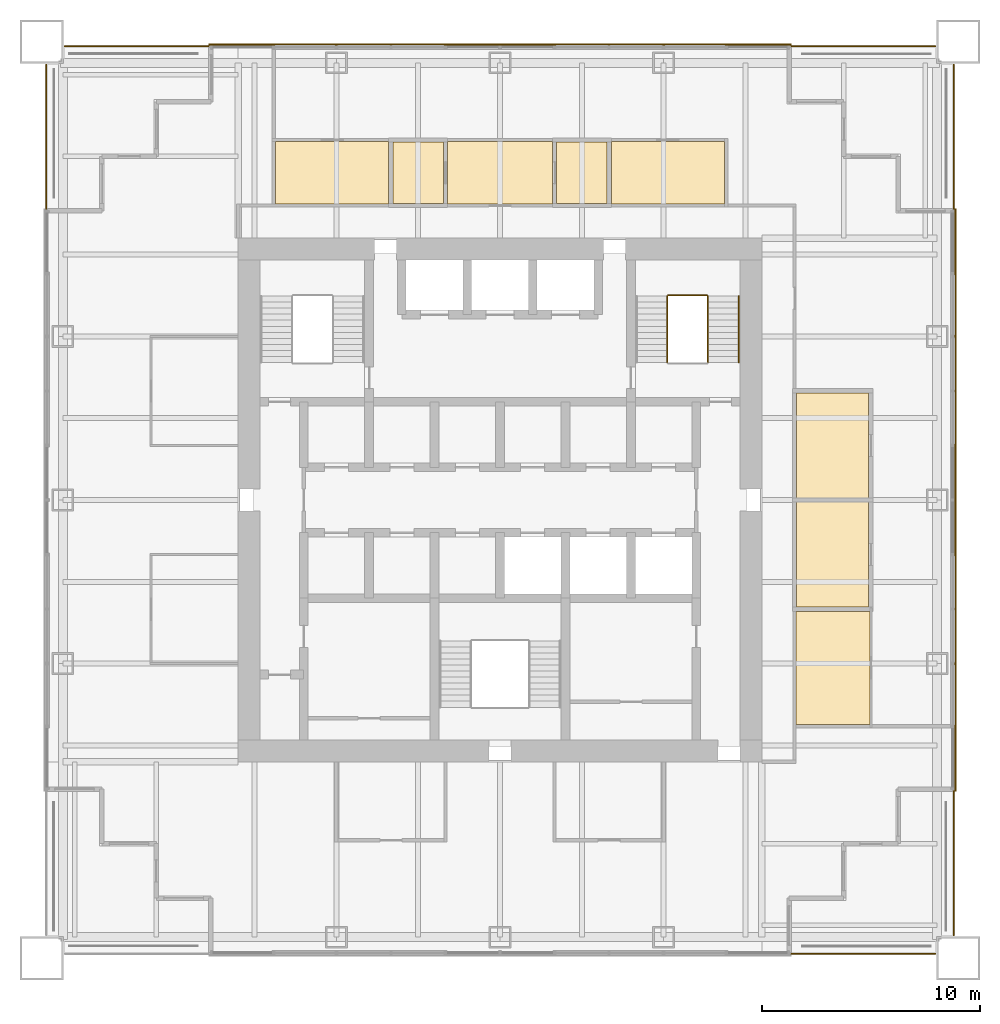
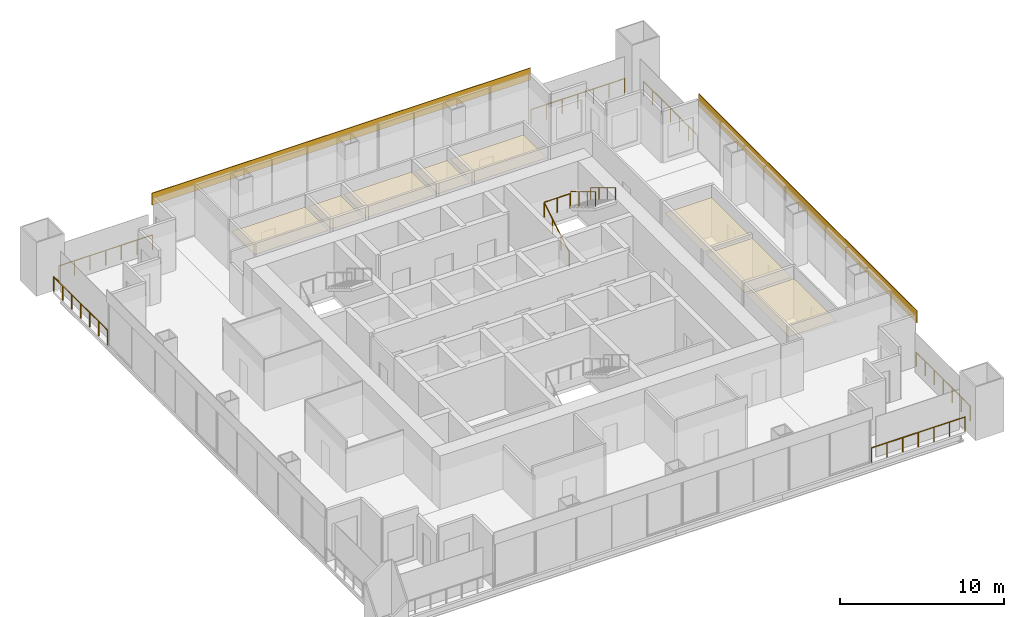
# One storey, part 14 of 14: 10 coverings, 10 railings.
"""IFC4 building model written with IfcOpenShell, lengths in metres."""

from ifc_helpers import new_model, si_unit, direction, frame, origin, origin_2d, place, context, subcontext, project, spatial, polyline, rectangle, circle, outline, extrude, material, layer, layer_set, type_object, element, save


model = new_model("IFC4")

# Units and contexts
model_context = context("Model", 3, precision=1e-05, world=origin(), true_north=direction((0.0, 1.0)))
body_context = subcontext(model_context, "Body", "Model", "MODEL_VIEW")
ifc_project = project(units=[si_unit("LENGTHUNIT", "METRE"), si_unit("AREAUNIT", "SQUARE_METRE"), si_unit("VOLUMEUNIT", "CUBIC_METRE"), si_unit("PLANEANGLEUNIT", "RADIAN"), si_unit("MASSUNIT", "GRAM", prefix="KILO")], contexts=[model_context])

# Site, building, storey
site_placement = place(None, origin())
site = spatial("IfcSite", under=ifc_project, at=site_placement, CompositionType="ELEMENT")
building_placement = place(site_placement, origin())
building = spatial("IfcBuilding", under=site, at=building_placement, Name="Tarangal Relay Tower", CompositionType="ELEMENT")
storey_placement = place(building_placement, frame((0.0, 0.0, 319.89990234375)))
storey = spatial("IfcBuildingStorey", under=building, at=storey_placement, Name="L71", CompositionType="ELEMENT", Elevation=319.89990234375)

# Coverings
ifc_material_1 = material(Name="Black anodised aluminium cladding", Category="aluminium")
ifc_layer_1 = layer(ifc_material_1, 0.050048828125)
ifc_layer_set_1 = layer_set([ifc_layer_1], Name="Black metal spandrel band")
covering_type_1 = type_object("IfcCoveringType", Name="Black metal spandrel band", PredefinedType="CLADDING", material=ifc_layer_set_1)
for number, where, z_axis, x_axis, name in (
    (1, (0.0, 20.875, 3.250244140625), (0.0, 0.0, 1.0), (1.0, 0.0, 0.0), "Spandrel band SB1 N L71"),
    (2, (20.875, 0.0, 3.250244140625), (0.0, 0.0, 1.0), (0.0, -1.0, 0.0), "Spandrel band SB1 E L71"),
):
    element("IfcCovering", number, at=place(storey_placement, frame(where, z_axis=z_axis, x_axis=x_axis)), inside=storey, type_object=covering_type_1, Name=name, PredefinedType="CLADDING", context=body_context, shape_type="SweptSolid", body=[
        extrude(rectangle(XDim=26.699951171875, YDim=0.050048828125, at=origin_2d()), origin(), (0.0, 0.0, 1.0), 0.89990234375),
    ])

# Railings
ifc_material_2 = material(Name="Steel guard, black finish", Category="steel")
railing_type_1 = type_object("IfcRailingType", Name="Stair guard 1100", PredefinedType="GUARDRAIL", material=ifc_material_2)
railing_1_placement = place(storey_placement, frame((7.669921875, 6.300048828125, 0.166748046875)))
element("IfcRailing", 3, at=railing_1_placement, inside=storey, type_object=railing_type_1, Name="Stair ST-B guard GR1 L71 flight 1", PredefinedType="GUARDRAIL", context=body_context, shape_type="SweptSolid", body=[
    extrude(circle(Radius=0.02392578125, at=origin_2d()), frame((0.0, 0.0, 1.076171875), z_axis=(0.0, 0.85685617095, 0.515555527858), x_axis=(-1.0, 0.0, 0.0)), (0.0, 0.0, 1.0), 3.555908203125),
    extrude(circle(Radius=0.02099609375, at=origin_2d()), origin(), (0.0, 0.0, 1.0), 1.052001953125),
    extrude(circle(Radius=0.02099609375, at=origin_2d()), frame((0.0, 1.015625, 0.611083984375)), (0.0, 0.0, 1.0), 1.052001953125),
    extrude(circle(Radius=0.02099609375, at=origin_2d()), frame((0.0, 2.03125, 1.22216796875)), (0.0, 0.0, 1.0), 1.052001953125),
    extrude(circle(Radius=0.02099609375, at=origin_2d()), frame((0.0, 3.046875, 1.833251953125)), (0.0, 0.0, 1.0), 1.052001953125),
])
railing_2_placement = place(storey_placement, frame((9.530029296875, 9.346923828125, 2.166748046875)))
element("IfcRailing", 4, at=railing_2_placement, inside=storey, type_object=railing_type_1, Name="Stair ST-B guard GR1 L71 flight 2", PredefinedType="GUARDRAIL", context=body_context, shape_type="SweptSolid", body=[
    extrude(circle(Radius=0.02392578125, at=origin_2d()), frame((0.0, 0.0, 1.076171875), z_axis=(0.0, -0.85685617095, 0.515555527858), x_axis=(1.0, 0.0, 0.0)), (0.0, 0.0, 1.0), 3.555908203125),
    extrude(circle(Radius=0.02099609375, at=origin_2d()), origin(), (0.0, 0.0, 1.0), 1.052001953125),
    extrude(circle(Radius=0.02099609375, at=origin_2d()), frame((0.0, -1.015625, 0.611083984375)), (0.0, 0.0, 1.0), 1.052001953125),
    extrude(circle(Radius=0.02099609375, at=origin_2d()), frame((0.0, -2.03125, 1.22216796875)), (0.0, 0.0, 1.0), 1.052001953125),
    extrude(circle(Radius=0.02099609375, at=origin_2d()), frame((0.0, -3.046875, 1.833251953125)), (0.0, 0.0, 1.0), 1.052001953125),
])
railing_3_placement = place(storey_placement, frame((7.699951171875, 9.376953125, 2.0)))
element("IfcRailing", 5, at=railing_3_placement, inside=storey, type_object=railing_type_1, Name="Stair ST-B landing guard GR1 L71", PredefinedType="GUARDRAIL", context=body_context, shape_type="SweptSolid", body=[
    extrude(circle(Radius=0.02392578125, at=origin_2d()), frame((0.0, 0.0, 1.076171875), z_axis=(1.0, 0.0, 0.0), x_axis=(0.0, 1.0, 0.0)), (0.0, 0.0, 1.0), 1.800048828125),
    extrude(circle(Radius=0.02099609375, at=origin_2d()), origin(), (0.0, 0.0, 1.0), 1.052001953125),
    extrude(circle(Radius=0.02099609375, at=origin_2d()), frame((0.89990234375, 0.0, 0.0)), (0.0, 0.0, 1.0), 1.052001953125),
    extrude(circle(Radius=0.02099609375, at=origin_2d()), frame((1.800048828125, 0.0, 0.0)), (0.0, 0.0, 1.0), 1.052001953125),
])
ifc_material_3 = material(Name="Steel handrail, black finish", Category="steel")
railing_type_2 = type_object("IfcRailingType", Name="Stair handrail 900", PredefinedType="HANDRAIL", material=ifc_material_3)
railing_4_placement = place(storey_placement, frame((10.93994140625, 9.346923828125, 2.166748046875)))
element("IfcRailing", 6, at=railing_4_placement, inside=storey, type_object=railing_type_2, Name="Stair ST-B handrail HR1 L71 flight 2", PredefinedType="HANDRAIL", context=body_context, shape_type="SweptSolid", body=[
    extrude(circle(Radius=0.02392578125, at=origin_2d()), frame((0.0, 0.0, 0.8759765625), z_axis=(0.0, -0.85685617095, 0.515555527858), x_axis=(1.0, 0.0, 0.0)), (0.0, 0.0, 1.0), 3.555908203125),
    extrude(circle(Radius=0.02099609375, at=origin_2d()), origin(), (0.0, 0.0, 1.0), 0.851806640625),
    extrude(circle(Radius=0.02099609375, at=origin_2d()), frame((0.0, -1.015625, 0.611083984375)), (0.0, 0.0, 1.0), 0.851806640625),
    extrude(circle(Radius=0.02099609375, at=origin_2d()), frame((0.0, -2.03125, 1.22216796875)), (0.0, 0.0, 1.0), 0.851806640625),
    extrude(circle(Radius=0.02099609375, at=origin_2d()), frame((0.0, -3.046875, 1.833251953125)), (0.0, 0.0, 1.0), 0.851806640625),
])

# Coverings
ifc_material_4 = material(Name="Mineral fibre ceiling tiles", Category="gypsum")
ifc_layer_2 = layer(ifc_material_4, 0.02001953125)
ifc_layer_set_2 = layer_set([ifc_layer_2], Name="Suspended ceiling")
covering_type_2 = type_object("IfcCoveringType", Name="Suspended ceiling", PredefinedType="CEILING", material=ifc_layer_set_2)
covering_1_placement = place(storey_placement, frame((0.0, 0.0, 2.900146484375)))
element("IfcCovering", 7, at=covering_1_placement, inside=storey, type_object=covering_type_2, Name="Suspended ceiling CL1 L71-02", PredefinedType="CEILING", context=body_context, shape_type="SweptSolid", body=[
    extrude(outline(polyline([(-5.10009765625, 13.574951171875), (-5.10009765625, 16.425048828125), (-10.300048828125, 16.425048828125), (-10.300048828125, 13.574951171875), (-5.10009765625, 13.574951171875)])), origin(), (0.0, 0.0, 1.0), 0.02001953125),
])
covering_2_placement = place(storey_placement, frame((0.0, 0.0, 2.900146484375)))
element("IfcCovering", 8, at=covering_2_placement, inside=storey, type_object=covering_type_2, Name="Suspended ceiling CL1 L71-03", PredefinedType="CEILING", context=body_context, shape_type="SweptSolid", body=[
    extrude(outline(polyline([(-4.89990234375, 16.39990234375), (-4.89990234375, 13.60009765625), (-2.60009765625, 13.60009765625), (-2.60009765625, 16.39990234375), (-4.89990234375, 16.39990234375)])), origin(), (0.0, 0.0, 1.0), 0.02001953125),
])
covering_3_placement = place(storey_placement, frame((0.0, 0.0, 2.900146484375)))
element("IfcCovering", 9, at=covering_3_placement, inside=storey, type_object=covering_type_2, Name="Suspended ceiling CL1 L71-04", PredefinedType="CEILING", context=body_context, shape_type="SweptSolid", body=[
    extrude(outline(polyline([(-2.39990234375, 16.425048828125), (-2.39990234375, 13.574951171875), (2.39990234375, 13.574951171875), (2.39990234375, 16.425048828125), (-2.39990234375, 16.425048828125)])), origin(), (0.0, 0.0, 1.0), 0.02001953125),
])
covering_4_placement = place(storey_placement, frame((0.0, 0.0, 2.900146484375)))
element("IfcCovering", 10, at=covering_4_placement, inside=storey, type_object=covering_type_2, Name="Suspended ceiling CL1 L71-05", PredefinedType="CEILING", context=body_context, shape_type="SweptSolid", body=[
    extrude(outline(polyline([(2.60009765625, 16.39990234375), (2.60009765625, 13.60009765625), (4.89990234375, 13.60009765625), (4.89990234375, 16.39990234375), (2.60009765625, 16.39990234375)])), origin(), (0.0, 0.0, 1.0), 0.02001953125),
])
covering_5_placement = place(storey_placement, frame((0.0, 0.0, 2.900146484375)))
element("IfcCovering", 11, at=covering_5_placement, inside=storey, type_object=covering_type_2, Name="Suspended ceiling CL1 L71-06", PredefinedType="CEILING", context=body_context, shape_type="SweptSolid", body=[
    extrude(outline(polyline([(10.300048828125, 16.425048828125), (5.10009765625, 16.425048828125), (5.10009765625, 13.574951171875), (10.300048828125, 13.574951171875), (10.300048828125, 16.425048828125)])), origin(), (0.0, 0.0, 1.0), 0.02001953125),
])
covering_6_placement = place(storey_placement, frame((0.0, 0.0, 2.900146484375)))
element("IfcCovering", 12, at=covering_6_placement, inside=storey, type_object=covering_type_2, Name="Suspended ceiling CL1 L71-07", PredefinedType="CEILING", context=body_context, shape_type="SweptSolid", body=[
    extrude(outline(polyline([(16.89990234375, 0.10009765625), (16.89990234375, 4.89990234375), (13.60009765625, 4.89990234375), (13.60009765625, 0.10009765625), (16.89990234375, 0.10009765625)])), origin(), (0.0, 0.0, 1.0), 0.02001953125),
])
covering_7_placement = place(storey_placement, frame((0.0, 0.0, 2.900146484375)))
element("IfcCovering", 13, at=covering_7_placement, inside=storey, type_object=covering_type_2, Name="Suspended ceiling CL1 L71-08", PredefinedType="CEILING", context=body_context, shape_type="SweptSolid", body=[
    extrude(outline(polyline([(13.60009765625, -4.89990234375), (16.89990234375, -4.89990234375), (16.89990234375, -0.10009765625), (13.60009765625, -0.10009765625), (13.60009765625, -4.89990234375)])), origin(), (0.0, 0.0, 1.0), 0.02001953125),
])
covering_8_placement = place(storey_placement, frame((0.0, 0.0, 2.900146484375)))
element("IfcCovering", 14, at=covering_8_placement, inside=storey, type_object=covering_type_2, Name="Suspended ceiling CL1 L71-09", PredefinedType="CEILING", context=body_context, shape_type="SweptSolid", body=[
    extrude(outline(polyline([(13.574951171875, -5.10009765625), (13.574951171875, -10.300048828125), (16.949951171875, -10.300048828125), (16.949951171875, -5.10009765625), (13.574951171875, -5.10009765625)])), origin(), (0.0, 0.0, 1.0), 0.02001953125),
])

# Railings
ifc_material_5 = material(Name="Black steel guard with glass infill", Category="steel")
railing_type_3 = type_object("IfcRailingType", Name="Terrace guard 1100", PredefinedType="GUARDRAIL", material=ifc_material_5)
railing_5_placement = place(storey_placement, frame((13.35009765625, 20.800048828125, 0.0)))
element("IfcRailing", 15, at=railing_5_placement, inside=storey, type_object=railing_type_3, Name="Terrace guard GR2 NE L71", PredefinedType="GUARDRAIL", context=body_context, shape_type="SweptSolid", body=[
    extrude(circle(Radius=0.02392578125, at=origin_2d()), frame((0.0, 0.0, 1.076171875), z_axis=(1.0, 0.0, 0.0), x_axis=(0.0, 1.0, 0.0)), (0.0, 0.0, 1.0), 6.599853515625),
    extrude(circle(Radius=0.02099609375, at=origin_2d()), origin(), (0.0, 0.0, 1.0), 1.052001953125),
    extrude(circle(Radius=0.02099609375, at=origin_2d()), frame((1.10009765625, 0.0, 0.0)), (0.0, 0.0, 1.0), 1.052001953125),
    extrude(circle(Radius=0.02099609375, at=origin_2d()), frame((2.199951171875, 0.0, 0.0)), (0.0, 0.0, 1.0), 1.052001953125),
    extrude(circle(Radius=0.02099609375, at=origin_2d()), frame((3.2998046875, 0.0, 0.0)), (0.0, 0.0, 1.0), 1.052001953125),
    extrude(circle(Radius=0.02099609375, at=origin_2d()), frame((4.39990234375, 0.0, 0.0)), (0.0, 0.0, 1.0), 1.052001953125),
    extrude(circle(Radius=0.02099609375, at=origin_2d()), frame((5.5, 0.0, 0.0)), (0.0, 0.0, 1.0), 1.052001953125),
    extrude(circle(Radius=0.02099609375, at=origin_2d()), frame((6.599853515625, 0.0, 0.0)), (0.0, 0.0, 1.0), 1.052001953125),
])
for number, where, name in (
    (16, (20.800048828125, 19.949951171875, 0.0), "Terrace guard GR2 NE L71"),
    (17, (20.800048828125, -13.35009765625, 0.0), "Terrace guard GR2 SE L71"),
):
    element("IfcRailing", number, at=place(storey_placement, frame(where)), inside=storey, type_object=railing_type_3, Name=name, PredefinedType="GUARDRAIL", context=body_context, shape_type="SweptSolid", body=[
        extrude(circle(Radius=0.02392578125, at=origin_2d()), frame((0.0, 0.0, 1.076171875), z_axis=(0.0, -1.0, 0.0), x_axis=(1.0, 0.0, 0.0)), (0.0, 0.0, 1.0), 6.599853515625),
        extrude(circle(Radius=0.02099609375, at=origin_2d()), origin(), (0.0, 0.0, 1.0), 1.052001953125),
        extrude(circle(Radius=0.02099609375, at=origin_2d()), frame((0.0, -1.10009765625, 0.0)), (0.0, 0.0, 1.0), 1.052001953125),
        extrude(circle(Radius=0.02099609375, at=origin_2d()), frame((0.0, -2.199951171875, 0.0)), (0.0, 0.0, 1.0), 1.052001953125),
        extrude(circle(Radius=0.02099609375, at=origin_2d()), frame((0.0, -3.2998046875, 0.0)), (0.0, 0.0, 1.0), 1.052001953125),
        extrude(circle(Radius=0.02099609375, at=origin_2d()), frame((0.0, -4.39990234375, 0.0)), (0.0, 0.0, 1.0), 1.052001953125),
        extrude(circle(Radius=0.02099609375, at=origin_2d()), frame((0.0, -5.5, 0.0)), (0.0, 0.0, 1.0), 1.052001953125),
        extrude(circle(Radius=0.02099609375, at=origin_2d()), frame((0.0, -6.599853515625, 0.0)), (0.0, 0.0, 1.0), 1.052001953125),
    ])
railing_6_placement = place(storey_placement, frame((19.949951171875, -20.800048828125, 0.0)))
element("IfcRailing", 18, at=railing_6_placement, inside=storey, type_object=railing_type_3, Name="Terrace guard GR2 SE L71", PredefinedType="GUARDRAIL", context=body_context, shape_type="SweptSolid", body=[
    extrude(circle(Radius=0.02392578125, at=origin_2d()), frame((0.0, 0.0, 1.076171875), z_axis=(-1.0, 0.0, 0.0), x_axis=(0.0, -1.0, 0.0)), (0.0, 0.0, 1.0), 6.599853515625),
    extrude(circle(Radius=0.02099609375, at=origin_2d()), origin(), (0.0, 0.0, 1.0), 1.052001953125),
    extrude(circle(Radius=0.02099609375, at=origin_2d()), frame((-1.10009765625, 0.0, 0.0)), (0.0, 0.0, 1.0), 1.052001953125),
    extrude(circle(Radius=0.02099609375, at=origin_2d()), frame((-2.199951171875, 0.0, 0.0)), (0.0, 0.0, 1.0), 1.052001953125),
    extrude(circle(Radius=0.02099609375, at=origin_2d()), frame((-3.2998046875, 0.0, 0.0)), (0.0, 0.0, 1.0), 1.052001953125),
    extrude(circle(Radius=0.02099609375, at=origin_2d()), frame((-4.39990234375, 0.0, 0.0)), (0.0, 0.0, 1.0), 1.052001953125),
    extrude(circle(Radius=0.02099609375, at=origin_2d()), frame((-5.5, 0.0, 0.0)), (0.0, 0.0, 1.0), 1.052001953125),
    extrude(circle(Radius=0.02099609375, at=origin_2d()), frame((-6.599853515625, 0.0, 0.0)), (0.0, 0.0, 1.0), 1.052001953125),
])
railing_7_placement = place(storey_placement, frame((-20.800048828125, 13.35009765625, 0.0)))
element("IfcRailing", 19, at=railing_7_placement, inside=storey, type_object=railing_type_3, Name="Terrace guard GR2 NW L71", PredefinedType="GUARDRAIL", context=body_context, shape_type="SweptSolid", body=[
    extrude(circle(Radius=0.02392578125, at=origin_2d()), frame((0.0, 0.0, 1.076171875), z_axis=(0.0, 1.0, 0.0), x_axis=(-1.0, 0.0, 0.0)), (0.0, 0.0, 1.0), 6.599853515625),
    extrude(circle(Radius=0.02099609375, at=origin_2d()), origin(), (0.0, 0.0, 1.0), 1.052001953125),
    extrude(circle(Radius=0.02099609375, at=origin_2d()), frame((0.0, 1.10009765625, 0.0)), (0.0, 0.0, 1.0), 1.052001953125),
    extrude(circle(Radius=0.02099609375, at=origin_2d()), frame((0.0, 2.199951171875, 0.0)), (0.0, 0.0, 1.0), 1.052001953125),
    extrude(circle(Radius=0.02099609375, at=origin_2d()), frame((0.0, 3.2998046875, 0.0)), (0.0, 0.0, 1.0), 1.052001953125),
    extrude(circle(Radius=0.02099609375, at=origin_2d()), frame((0.0, 4.39990234375, 0.0)), (0.0, 0.0, 1.0), 1.052001953125),
    extrude(circle(Radius=0.02099609375, at=origin_2d()), frame((0.0, 5.5, 0.0)), (0.0, 0.0, 1.0), 1.052001953125),
    extrude(circle(Radius=0.02099609375, at=origin_2d()), frame((0.0, 6.599853515625, 0.0)), (0.0, 0.0, 1.0), 1.052001953125),
])
railing_8_placement = place(storey_placement, frame((-19.949951171875, 20.800048828125, 0.0)))
element("IfcRailing", 20, at=railing_8_placement, inside=storey, type_object=railing_type_3, Name="Terrace guard GR2 NW L71", PredefinedType="GUARDRAIL", context=body_context, shape_type="SweptSolid", body=[
    extrude(circle(Radius=0.02392578125, at=origin_2d()), frame((0.0, 0.0, 1.076171875), z_axis=(1.0, 0.0, 0.0), x_axis=(0.0, 1.0, 0.0)), (0.0, 0.0, 1.0), 6.599853515625),
    extrude(circle(Radius=0.02099609375, at=origin_2d()), origin(), (0.0, 0.0, 1.0), 1.052001953125),
    extrude(circle(Radius=0.02099609375, at=origin_2d()), frame((1.10009765625, 0.0, 0.0)), (0.0, 0.0, 1.0), 1.052001953125),
    extrude(circle(Radius=0.02099609375, at=origin_2d()), frame((2.199951171875, 0.0, 0.0)), (0.0, 0.0, 1.0), 1.052001953125),
    extrude(circle(Radius=0.02099609375, at=origin_2d()), frame((3.2998046875, 0.0, 0.0)), (0.0, 0.0, 1.0), 1.052001953125),
    extrude(circle(Radius=0.02099609375, at=origin_2d()), frame((4.39990234375, 0.0, 0.0)), (0.0, 0.0, 1.0), 1.052001953125),
    extrude(circle(Radius=0.02099609375, at=origin_2d()), frame((5.5, 0.0, 0.0)), (0.0, 0.0, 1.0), 1.052001953125),
    extrude(circle(Radius=0.02099609375, at=origin_2d()), frame((6.599853515625, 0.0, 0.0)), (0.0, 0.0, 1.0), 1.052001953125),
])

save(model, "model.ifc")
